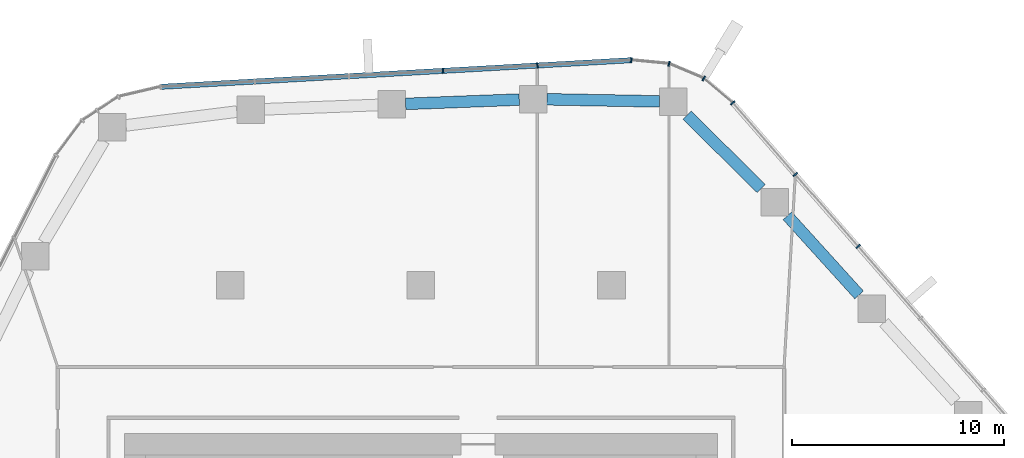
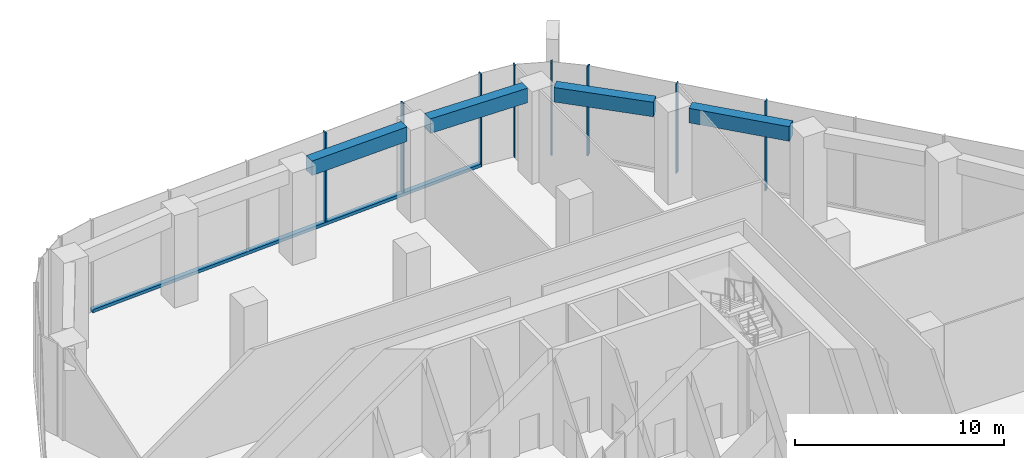
# One storey, part 7 of 18: 9 members, 4 beams, 3 elements without a shape of their own.
"""IFC4 building model written with IfcOpenShell, lengths in metres."""

from ifc_helpers import new_model, si_unit, direction, frame, origin, origin_2d, place, context, subcontext, project, spatial, rectangle, extrude, material, layer, layer_set, material_profile, profile_set, type_object, element, aggregate, save


model = new_model("IFC4")

# Units and contexts
model_context = context("Model", 3, precision=1e-05, world=origin(), true_north=direction((0.0, 1.0)))
body_context = subcontext(model_context, "Body", "Model", "MODEL_VIEW")
ifc_project = project(units=[si_unit("LENGTHUNIT", "METRE"), si_unit("AREAUNIT", "SQUARE_METRE"), si_unit("VOLUMEUNIT", "CUBIC_METRE"), si_unit("PLANEANGLEUNIT", "RADIAN"), si_unit("MASSUNIT", "GRAM", prefix="KILO")], contexts=[model_context])

# Site, building, storey
site_placement = place(None, origin())
site = spatial("IfcSite", under=ifc_project, at=site_placement, CompositionType="ELEMENT")
building_placement = place(site_placement, origin())
building = spatial("IfcBuilding", under=site, at=building_placement, Name="Dongbaek Canopy Tower", CompositionType="ELEMENT")
storey_placement = place(building_placement, frame((0.0, 0.0, 139.60009765625)))
storey = spatial("IfcBuildingStorey", under=building, at=storey_placement, Name="L31", CompositionType="ELEMENT", Elevation=139.60009765625)

# Curtain wall, members
ifc_material_1 = material(Name="Aluminium 6063-T6 pale anodised", Category="aluminium")
ifc_layer = layer(ifc_material_1, 0.25)
ifc_layer_set = layer_set([ifc_layer], Name="CW-4 sky-lobby curtain wall")
curtain_wall_type = type_object("IfcCurtainWallType", Name="CW-4 sky-lobby curtain wall", PredefinedType="NOTDEFINED", material=ifc_layer_set)
curtain_wall_1_placement = place(storey_placement, origin())
curtain_wall_1 = element("IfcCurtainWall", 1, at=curtain_wall_1_placement, inside=storey, type_object=curtain_wall_type, Name="CW-4 curtain wall F0.1", PredefinedType="NOTDEFINED")
ifc_material_2 = material(Name="Aluminium 6063-T6 pale anodised", Category="aluminium")
ifc_material_profile_1 = material_profile(ifc_material_2, rectangle(XDim=0.25, YDim=0.070068359375, at=origin_2d()), Name="CW-4 mullion 70 x 250")
ifc_profile_set_1 = profile_set([ifc_material_profile_1], Name="Aluminium 6063-T6 pale anodised")
member_type_1 = type_object("IfcMemberType", Name="CW-4 mullion 70 x 250", PredefinedType="MULLION", material=ifc_profile_set_1)
member_1_placement = place(storey_placement, frame((20.64013671875, 19.84228515625, 0.179931640625), z_axis=(0.0, 0.0, 1.0), x_axis=(0.753339239039, 0.657632109103, 0.0)))
member_1 = element("IfcMember", 2, at=member_1_placement, type_object=member_type_1, Name="CW-4 mullion F0.1.4", PredefinedType="MULLION", context=body_context, shape_type="SweptSolid", body=[
    extrude(rectangle(XDim=0.25, YDim=0.070068359375, at=origin_2d()), origin(), (0.0, 0.0, 1.0), 5.219970703125),
])
member_2_placement = place(storey_placement, frame((17.680419921875, 23.232666015625, 0.179931640625), z_axis=(0.0, 0.0, 1.0), x_axis=(0.753339239039, 0.657632109103, 0.0)))
member_2 = element("IfcMember", 3, at=member_2_placement, type_object=member_type_1, Name="CW-4 mullion F0.1.5", PredefinedType="MULLION", context=body_context, shape_type="SweptSolid", body=[
    extrude(rectangle(XDim=0.25, YDim=0.070068359375, at=origin_2d()), origin(), (0.0, 0.0, 1.0), 5.219970703125),
])
member_3_placement = place(storey_placement, frame((14.725830078125, 26.6171875, 0.179931640625), z_axis=(0.0, 0.0, 1.0), x_axis=(0.753339239039, 0.657632109103, 0.0)))
member_3 = element("IfcMember", 4, at=member_3_placement, type_object=member_type_1, Name="CW-4 mullion F0.1.6", PredefinedType="MULLION", context=body_context, shape_type="SweptSolid", body=[
    extrude(rectangle(XDim=0.25, YDim=0.070068359375, at=origin_2d()), origin(), (0.0, 0.0, 1.0), 5.219970703125),
])
aggregate(curtain_wall_1, [member_1, member_2, member_3])

curtain_wall_2_placement = place(storey_placement, origin())
curtain_wall_2 = element("IfcCurtainWall", 5, at=curtain_wall_2_placement, inside=storey, type_object=curtain_wall_type, Name="CW-4 curtain wall K1.1", PredefinedType="NOTDEFINED")
member_4_placement = place(storey_placement, frame((13.359130859375, 27.772216796875, 0.0), z_axis=(0.0, 0.0, 1.0), x_axis=(0.522609005487, 0.852572476323, 0.0)))
member_4 = element("IfcMember", 6, at=member_4_placement, type_object=member_type_1, Name="CW-4 mullion K1.1.2", PredefinedType="MULLION", context=body_context, shape_type="SweptSolid", body=[
    extrude(rectangle(XDim=0.25, YDim=0.070068359375, at=origin_2d()), origin(), (0.0, 0.0, 1.0), 5.39990234375),
])
member_5_placement = place(storey_placement, frame((11.716796875, 28.463134765625, 0.0), z_axis=(0.0, 0.0, 1.0), x_axis=(0.244196873513, 0.969725676141, 0.0)))
member_5 = element("IfcMember", 7, at=member_5_placement, type_object=member_type_1, Name="CW-4 mullion K1.1.3", PredefinedType="MULLION", context=body_context, shape_type="SweptSolid", body=[
    extrude(rectangle(XDim=0.25, YDim=0.070068359375, at=origin_2d()), origin(), (0.0, 0.0, 1.0), 5.39990234375),
])
member_6_placement = place(storey_placement, frame((9.935302734375, 28.633056640625, 0.0), z_axis=(0.0, 0.0, 1.0), x_axis=(0.094939779936, 0.995483017528, 0.0)))
member_6 = element("IfcMember", 8, at=member_6_placement, type_object=member_type_1, Name="CW-4 mullion K1.1.4", PredefinedType="MULLION", context=body_context, shape_type="SweptSolid", body=[
    extrude(rectangle(XDim=0.25, YDim=0.070068359375, at=origin_2d()), origin(), (0.0, 0.0, 1.0), 5.39990234375),
])
aggregate(curtain_wall_2, [member_4, member_5, member_6])

curtain_wall_3_placement = place(storey_placement, origin())
curtain_wall_3 = element("IfcCurtainWall", 9, at=curtain_wall_3_placement, inside=storey, type_object=curtain_wall_type, Name="CW-4 curtain wall F1.1", PredefinedType="NOTDEFINED")
member_7_placement = place(storey_placement, frame((5.49560546875, 28.3818359375, 0.179931640625), z_axis=(0.0, 0.0, 1.0), x_axis=(-0.056495338566, 0.998402862937, 0.0)))
member_7 = element("IfcMember", 10, at=member_7_placement, type_object=member_type_1, Name="CW-4 mullion F1.1.2", PredefinedType="MULLION", context=body_context, shape_type="SweptSolid", body=[
    extrude(rectangle(XDim=0.25, YDim=0.070068359375, at=origin_2d()), origin(), (0.0, 0.0, 1.0), 5.219970703125),
])
member_8_placement = place(storey_placement, frame((1.04833984375, 28.130126953125, 0.179931640625), z_axis=(0.0, 0.0, 1.0), x_axis=(-0.056495338566, 0.998402862937, 0.0)))
member_8 = element("IfcMember", 11, at=member_8_placement, type_object=member_type_1, Name="CW-4 mullion F1.1.3", PredefinedType="MULLION", context=body_context, shape_type="SweptSolid", body=[
    extrude(rectangle(XDim=0.25, YDim=0.070068359375, at=origin_2d()), origin(), (0.0, 0.0, 1.0), 5.219970703125),
])
ifc_material_3 = material(Name="Aluminium 6063-T6 pale anodised", Category="aluminium")
ifc_material_profile_2 = material_profile(ifc_material_3, rectangle(XDim=0.25, YDim=0.179931640625, at=origin_2d()), Name="CW-4 transom 180 x 250")
ifc_profile_set_2 = profile_set([ifc_material_profile_2], Name="Aluminium 6063-T6 pale anodised")
member_type_2 = type_object("IfcMemberType", Name="CW-4 transom 180 x 250", PredefinedType="USERDEFINED", material=ifc_profile_set_2)
member_9_placement = place(storey_placement, frame((9.935302734375, 28.633056640625, 0.08984375), z_axis=(-0.998402919952, -0.056494330957, 0.0), x_axis=(0.056494330957, -0.998402919952, 0.0)))
member_9 = element("IfcMember", 12, at=member_9_placement, type_object=member_type_2, Name="CW-4 transom F1.1.1", ObjectType="TRANSOM", PredefinedType="USERDEFINED", context=body_context, shape_type="SweptSolid", body=[
    extrude(rectangle(XDim=0.25, YDim=0.179931640625, at=origin_2d()), origin(), (0.0, 0.0, 1.0), 22.255859375),
])
aggregate(curtain_wall_3, [member_7, member_8, member_9])

# Beams
ifc_material_4 = material(Name="Concrete C80", Category="concrete")
ifc_material_profile_3 = material_profile(ifc_material_4, rectangle(XDim=0.550048828125, YDim=0.85009765625, at=origin_2d()), Name="RC EDGE BEAM 550x850 C80")
ifc_profile_set_3 = profile_set([ifc_material_profile_3], Name="Concrete C80")
beam_type = type_object("IfcBeamType", Name="RC EDGE BEAM 550x850 C80", PredefinedType="BEAM", material=ifc_profile_set_3)
beam_1_placement = place(storey_placement, frame((-0.721923828125, 26.56884765625, 4.974853515625), z_axis=(0.999275939063, 0.03804730751, 0.0), x_axis=(-0.03804730751, 0.999275939063, 0.0)))
element("IfcBeam", 13, at=beam_1_placement, inside=storey, type_object=beam_type, Name="EDGEBEAM:L31:15", PredefinedType="BEAM", context=body_context, shape_type="SweptSolid", body=[
    extrude(rectangle(XDim=0.550048828125, YDim=0.85009765625, at=origin_2d()), origin(), (0.0, 0.0, 1.0), 5.370849609375),
])
beam_2_placement = place(storey_placement, frame((5.945068359375, 26.785888671875, 4.974853515625), z_axis=(0.999824893163, -0.018713177504, 0.0), x_axis=(0.018713177504, 0.999824893163, 0.0)))
element("IfcBeam", 14, at=beam_2_placement, inside=storey, type_object=beam_type, Name="EDGEBEAM:L31:16", PredefinedType="BEAM", context=body_context, shape_type="SweptSolid", body=[
    extrude(rectangle(XDim=0.550048828125, YDim=0.85009765625, at=origin_2d()), origin(), (0.0, 0.0, 1.0), 5.322998046875),
])
beam_3_placement = place(storey_placement, frame((12.56689453125, 26.032470703125, 4.974853515625), z_axis=(0.711707070228, -0.702476366995, 0.0), x_axis=(0.702476366995, 0.711707070228, 0.0)))
element("IfcBeam", 15, at=beam_3_placement, inside=storey, type_object=beam_type, Name="EDGEBEAM:L31:17", PredefinedType="BEAM", context=body_context, shape_type="SweptSolid", body=[
    extrude(rectangle(XDim=0.550048828125, YDim=0.85009765625, at=origin_2d()), origin(), (0.0, 0.0, 1.0), 4.91943359375),
])
beam_4_placement = place(storey_placement, frame((17.306640625, 21.284912109375, 4.974853515625), z_axis=(0.671331632341, -0.741157094966, 0.0), x_axis=(0.741157094966, 0.671331632341, 0.0)))
element("IfcBeam", 16, at=beam_4_placement, inside=storey, type_object=beam_type, Name="EDGEBEAM:L31:18", PredefinedType="BEAM", context=body_context, shape_type="SweptSolid", body=[
    extrude(rectangle(XDim=0.550048828125, YDim=0.85009765625, at=origin_2d()), origin(), (0.0, 0.0, 1.0), 5.041748046875),
])

save(model, "model.ifc")
